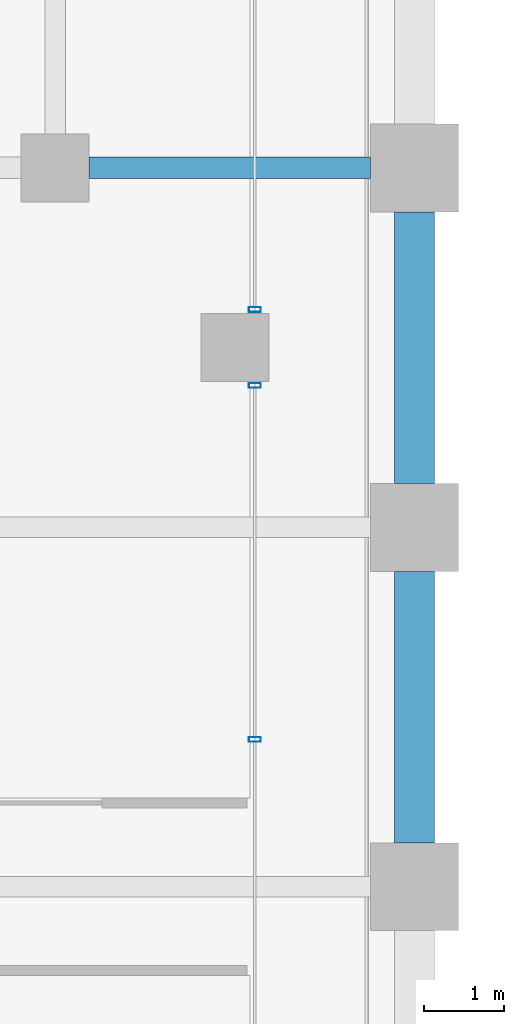
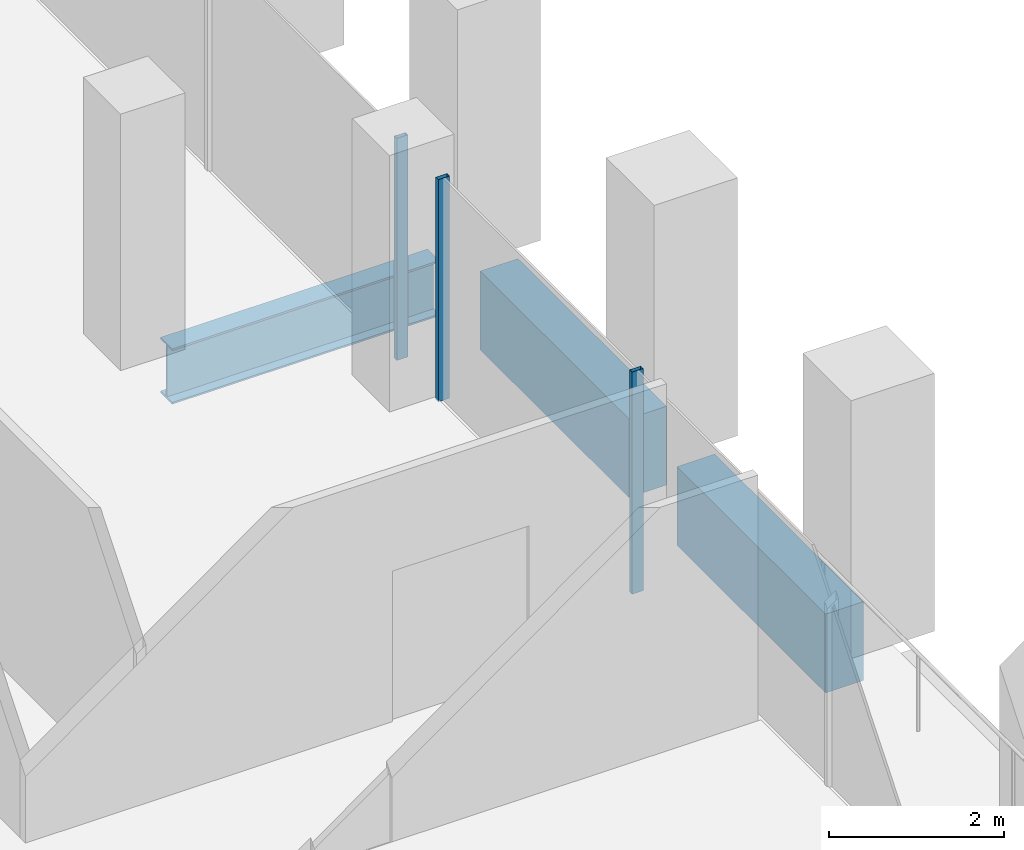
# One storey, part 22 of 54: 3 beams, 3 members, 2 elements without a shape of their own.
"""IFC4 building model written with IfcOpenShell, lengths in metres."""

from ifc_helpers import new_model, si_unit, direction, frame, origin, origin_2d, place, context, subcontext, project, spatial, rectangle, hollow_rectangle, i_section, extrude, material, material_profile, profile_set, type_object, element, aggregate, save


model = new_model("IFC4")

# Units and contexts
model_context = context("Model", 3, precision=1e-05, world=origin(), true_north=direction((0.0, 1.0)))
body_context = subcontext(model_context, "Body", "Model", "MODEL_VIEW")
ifc_project = project(units=[si_unit("LENGTHUNIT", "METRE"), si_unit("AREAUNIT", "SQUARE_METRE"), si_unit("VOLUMEUNIT", "CUBIC_METRE"), si_unit("PLANEANGLEUNIT", "RADIAN"), si_unit("MASSUNIT", "GRAM", prefix="KILO")], contexts=[model_context])

# Site, building, storey
site_placement = place(None, origin())
site = spatial("IfcSite", under=ifc_project, at=site_placement, CompositionType="ELEMENT")
building_placement = place(site_placement, origin())
building = spatial("IfcBuilding", under=site, at=building_placement, Name="Altepetl Exchange Towers", CompositionType="ELEMENT")
storey_placement = place(building_placement, frame((0.0, 0.0, 58.199951171875)))
storey = spatial("IfcBuildingStorey", under=building, at=storey_placement, Name="L13", CompositionType="ELEMENT", Elevation=58.199951171875)

# Beam
ifc_material_1 = material(Name="Steel S355", Category="steel")
ifc_material_profile_1 = material_profile(ifc_material_1, i_section(OverallWidth=0.26806640625, OverallDepth=0.77392578125, WebThickness=0.015380859375, FlangeThickness=0.025390625, at=origin_2d()), Name="W30X132")
ifc_profile_set_1 = profile_set([ifc_material_profile_1], Name="Steel S355")
beam_type_1 = type_object("IfcBeamType", Name="Girder W30X132", PredefinedType="BEAM", material=ifc_profile_set_1)
beam_placement = place(storey_placement, frame((67.925048828125, 58.5, -0.536865234375), z_axis=(1.0, 0.0, 0.0), x_axis=(0.0, 1.0, 0.0)))
element("IfcBeam", 1, at=beam_placement, inside=storey, type_object=beam_type_1, Name="gd:A:L13:002", PredefinedType="BEAM", context=body_context, shape_type="SweptSolid", body=[
    extrude(i_section(OverallWidth=0.26806640625, OverallDepth=0.77392578125, WebThickness=0.015380859375, FlangeThickness=0.025390625, at=origin_2d()), origin(), (0.0, 0.0, 1.0), 3.52490234375),
])

# Curtain wall, members
ifc_material_2 = material(Name="Aluminium 6063-T6 glazing", Category="aluminium")
curtain_wall_type = type_object("IfcCurtainWallType", Name="Loggia glazing system", PredefinedType="NOTDEFINED", material=ifc_material_2)
curtain_wall_1_placement = place(storey_placement, origin())
curtain_wall_1 = element("IfcCurtainWall", 2, at=curtain_wall_1_placement, inside=storey, type_object=curtain_wall_type, Name="CW1 run", PredefinedType="NOTDEFINED")
ifc_material_3 = material(Name="Aluminium 6063-T6", Category="aluminium")
ifc_material_profile_2 = material_profile(ifc_material_3, hollow_rectangle(XDim=0.06005859375, YDim=0.14990234375, WallThickness=0.0029296875, at=origin_2d()), Name="Mullion 60x150 aluminium")
ifc_profile_set_2 = profile_set([ifc_material_profile_2], Name="Aluminium 6063-T6")
member_type = type_object("IfcMemberType", Name="Mullion 60x150 aluminium", PredefinedType="MULLION", material=ifc_profile_set_2)
member_1_placement = place(storey_placement, frame((70.0, 51.343994140625, 0.0), z_axis=(0.0, 0.0, 1.0), x_axis=(0.0, 1.0, 0.0)))
member_1 = element("IfcMember", 3, at=member_1_placement, type_object=member_type, Name="MU1 mullion", PredefinedType="MULLION", context=body_context, shape_type="SweptSolid", body=[
    extrude(hollow_rectangle(XDim=0.06005859375, YDim=0.14990234375, WallThickness=0.0029296875, at=origin_2d()), origin(), (0.0, 0.0, 1.0), 3.10009765625),
])
member_2_placement = place(storey_placement, frame((70.0, 55.77490234375, 0.0), z_axis=(0.0, 0.0, 1.0), x_axis=(0.0, 1.0, 0.0)))
member_2 = element("IfcMember", 4, at=member_2_placement, type_object=member_type, Name="MU1 mullion", PredefinedType="MULLION", context=body_context, shape_type="SweptSolid", body=[
    extrude(hollow_rectangle(XDim=0.06005859375, YDim=0.14990234375, WallThickness=0.0029296875, at=origin_2d()), origin(), (0.0, 0.0, 1.0), 3.10009765625),
])
aggregate(curtain_wall_1, [member_1, member_2])

# Curtain wall, member
curtain_wall_2_placement = place(storey_placement, origin())
curtain_wall_2 = element("IfcCurtainWall", 5, at=curtain_wall_2_placement, inside=storey, type_object=curtain_wall_type, Name="CW1 run", PredefinedType="NOTDEFINED")
member_3_placement = place(storey_placement, frame((70.0, 56.72509765625, 0.0), z_axis=(0.0, 0.0, 1.0), x_axis=(0.0, 1.0, 0.0)))
member_3 = element("IfcMember", 6, at=member_3_placement, type_object=member_type, Name="MU1 mullion", PredefinedType="MULLION", context=body_context, shape_type="SweptSolid", body=[
    extrude(hollow_rectangle(XDim=0.06005859375, YDim=0.14990234375, WallThickness=0.0029296875, at=origin_2d()), origin(), (0.0, 0.0, 1.0), 3.10009765625),
])
aggregate(curtain_wall_2, [member_3])

# Beams
ifc_material_4 = material(Name="Concrete C50/60 precast with cantera amarilla facing", Category="concrete")
ifc_material_profile_3 = material_profile(ifc_material_4, rectangle(XDim=0.5, YDim=1.10009765625, at=origin_2d()), Name="500 x 1100")
ifc_profile_set_3 = profile_set([ifc_material_profile_3], Name="Concrete C50/60 precast with cantera amarilla facing")
beam_type_2 = type_object("IfcBeamType", Name="Spandrel beam 500x1100 cantera amarilla", PredefinedType="SPANDREL", material=ifc_profile_set_3)
for number, where, z_axis, x_axis, name in (
    (7, (72.0, 50.050048828125, -0.699951171875), (0.0, 1.0, 0.0), (-1.0, 0.0, 0.0), "sp:A:L13:016"),
    (8, (72.0, 54.550048828125, -0.699951171875), (0.0, 1.0, 0.0), (-1.0, 0.0, 0.0), "sp:A:L13:017"),
):
    element("IfcBeam", number, at=place(storey_placement, frame(where, z_axis=z_axis, x_axis=x_axis)), inside=storey, type_object=beam_type_2, Name=name, PredefinedType="SPANDREL", context=body_context, shape_type="SweptSolid", body=[
        extrude(rectangle(XDim=0.5, YDim=1.10009765625, at=origin_2d()), origin(), (0.0, 0.0, 1.0), 3.39990234375),
    ])

save(model, "model.ifc")
